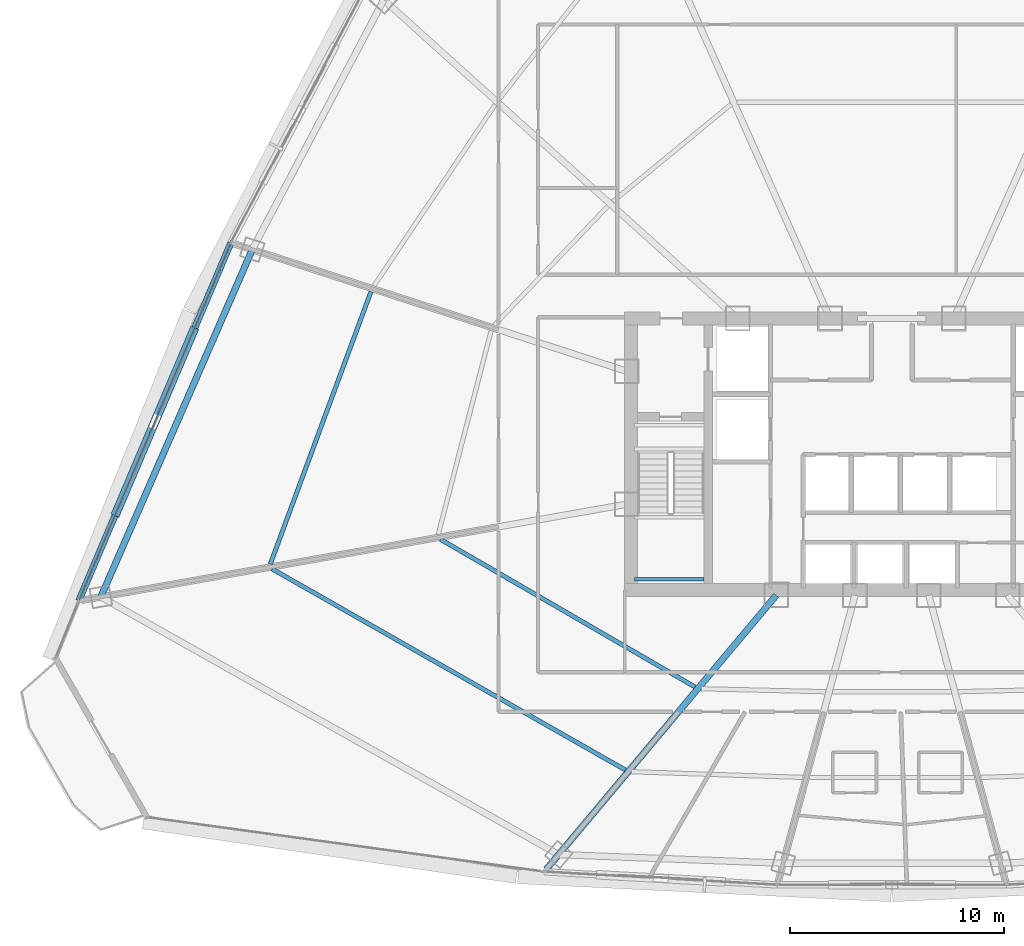
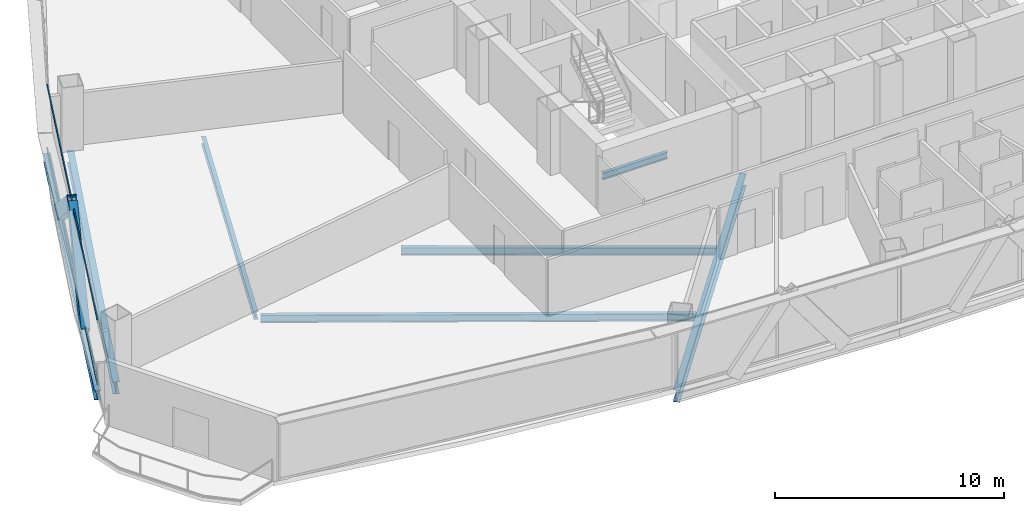
# One storey, part 7 of 39: 7 beams, 4 members, 1 element without a shape of its own.
"""IFC4 building model written with IfcOpenShell, lengths in metres."""

from ifc_helpers import new_model, si_unit, direction, frame, origin, origin_2d, place, context, subcontext, project, spatial, hollow_rectangle, i_section, extrude, source, transform, mapped, material, layer, layer_set, material_profile, profile_set, type_object, element, aggregate, save


model = new_model("IFC4")

# Units and contexts
model_context = context("Model", 3, precision=1e-05, world=origin(), true_north=direction((0.0, 1.0)))
body_context = subcontext(model_context, "Body", "Model", "MODEL_VIEW")
ifc_project = project(units=[si_unit("LENGTHUNIT", "METRE"), si_unit("AREAUNIT", "SQUARE_METRE"), si_unit("VOLUMEUNIT", "CUBIC_METRE"), si_unit("PLANEANGLEUNIT", "RADIAN"), si_unit("MASSUNIT", "GRAM", prefix="KILO"), si_unit("THERMODYNAMICTEMPERATUREUNIT", "KELVIN"), si_unit("POWERUNIT", "WATT")], contexts=[model_context])

# Site, building, storey
site_placement = place(None, origin())
site = spatial("IfcSite", under=ifc_project, at=site_placement, CompositionType="ELEMENT")
building_placement = place(site_placement, origin())
building = spatial("IfcBuilding", under=site, at=building_placement, Name="Yunzhuo Pagoda Commons", CompositionType="ELEMENT")
storey_placement = place(building_placement, frame((0.0, 0.0, 162.949951171875)))
storey = spatial("IfcBuildingStorey", under=building, at=storey_placement, Name="L41", CompositionType="ELEMENT", Elevation=162.949951171875)

# Beams
ifc_material_1 = material(Name="Structural steel Q355B", Category="steel")
ifc_material_profile_1 = material_profile(ifc_material_1, i_section(OverallWidth=0.175048828125, OverallDepth=0.35009765625, WebThickness=0.007080078125, FlangeThickness=0.010986328125, at=origin_2d()), Name="Structural steel Q355B")
ifc_profile_set_1 = profile_set([ifc_material_profile_1], Name="Structural steel Q355B")
beam_type_1 = type_object("IfcBeamType", Name="B-JS2 Joist HN 350x175x7x11", PredefinedType="JOIST", material=ifc_profile_set_1)
shared_shape_1 = source(origin(), body_context, "Body", "SweptSolid", [
    extrude(i_section(OverallWidth=0.175048828125, OverallDepth=0.35009765625, WebThickness=0.007080078125, FlangeThickness=0.010986328125, at=origin_2d()), origin(), (0.0, 0.0, 1.0), 3.25),
])
beam_1_placement = place(storey_placement, frame((35.949951171875, 28.0, 1.465087890625), z_axis=(1.0, 0.0, 0.0), x_axis=(0.0, 1.0, 0.0)))
element("IfcBeam", 1, at=beam_1_placement, inside=storey, type_object=beam_type_1, Name="L41 ST1 landing support beam 47A", PredefinedType="JOIST", context=body_context, shape_type="MappedRepresentation", body=[
    mapped(shared_shape_1, transform((0.0, 0.0, 0.0), scale=1.0)),
])
ifc_material_profile_2 = material_profile(ifc_material_1, i_section(OverallWidth=0.199951171875, OverallDepth=0.39990234375, WebThickness=0.008056640625, FlangeThickness=0.012939453125, at=origin_2d()), Name="Structural steel Q355B")
ifc_profile_set_2 = profile_set([ifc_material_profile_2], Name="Structural steel Q355B")
beam_type_2 = type_object("IfcBeamType", Name="B-JS1 Joist HN 400x200x8x13", PredefinedType="JOIST", material=ifc_profile_set_2)
shared_shape_2 = source(origin(), body_context, "Body", "SweptSolid", [
    extrude(i_section(OverallWidth=0.199951171875, OverallDepth=0.39990234375, WebThickness=0.008056640625, FlangeThickness=0.012939453125, at=origin_2d()), origin(), (0.0, 0.0, 1.0), 13.76416015625),
])
beam_2_placement = place(storey_placement, frame((26.882568359375, 29.87255859375, -0.4599609375), z_axis=(0.864967288101, -0.501828248025, 0.0), x_axis=(0.501828248025, 0.864967288101, 0.0)))
element("IfcBeam", 2, at=beam_2_placement, inside=storey, type_object=beam_type_2, Name="L41 composite ring joist 1.12", PredefinedType="JOIST", context=body_context, shape_type="MappedRepresentation", body=[
    mapped(shared_shape_2, transform((0.0, 0.0, 0.0), scale=1.0)),
])
shared_shape_3 = source(origin(), body_context, "Body", "SweptSolid", [
    extrude(i_section(OverallWidth=0.199951171875, OverallDepth=0.39990234375, WebThickness=0.008056640625, FlangeThickness=0.012939453125, at=origin_2d()), origin(), (0.0, 0.0, 1.0), 19.007568359375),
])
beam_3_placement = place(storey_placement, frame((19.01220703125, 28.485595703125, -0.4599609375), z_axis=(0.869119947472, -0.494601371718, 0.0), x_axis=(0.494601371718, 0.869119947472, 0.0)))
element("IfcBeam", 3, at=beam_3_placement, inside=storey, type_object=beam_type_2, Name="L41 composite ring joist 2.12", PredefinedType="JOIST", context=body_context, shape_type="MappedRepresentation", body=[
    mapped(shared_shape_3, transform((0.0, 0.0, 0.0), scale=1.0)),
])
ifc_material_profile_3 = material_profile(ifc_material_1, i_section(OverallWidth=0.300048828125, OverallDepth=0.64990234375, WebThickness=0.012939453125, FlangeThickness=0.02197265625, at=origin_2d()), Name="Structural steel Q355B")
ifc_profile_set_3 = profile_set([ifc_material_profile_3], Name="Structural steel Q355B")
beam_type_3 = type_object("IfcBeamType", Name="B-RG2 Beam HN 650x300x13x22", PredefinedType="BEAM", material=ifc_profile_set_3)
shared_shape_4 = source(origin(), body_context, "Body", "SweptSolid", [
    extrude(i_section(OverallWidth=0.300048828125, OverallDepth=0.64990234375, WebThickness=0.012939453125, FlangeThickness=0.02197265625, at=origin_2d()), origin(), (0.0, 0.0, 1.0), 17.72021484375),
])
beam_4_placement = place(storey_placement, frame((18.084716796875, 43.420166015625, -0.5849609375), z_axis=(-0.399643307961, -0.916670729544, 0.0), x_axis=(0.916670729544, -0.399643307961, 0.0)))
element("IfcBeam", 4, at=beam_4_placement, inside=storey, type_object=beam_type_3, Name="L41 column-ring beam 11", PredefinedType="BEAM", context=body_context, shape_type="MappedRepresentation", body=[
    mapped(shared_shape_4, transform((0.0, 0.0, 0.0), scale=1.0)),
])
shared_shape_5 = source(origin(), body_context, "Body", "SweptSolid", [
    extrude(i_section(OverallWidth=0.199951171875, OverallDepth=0.39990234375, WebThickness=0.008056640625, FlangeThickness=0.012939453125, at=origin_2d()), origin(), (0.0, 0.0, 1.0), 13.577880859375),
])
beam_5_placement = place(storey_placement, frame((23.634765625, 41.44970703125, -0.4599609375), z_axis=(-0.3465634723, -0.938026523968, 0.0), x_axis=(0.938026523968, -0.3465634723, 0.0)))
element("IfcBeam", 5, at=beam_5_placement, inside=storey, type_object=beam_type_2, Name="L41 composite ring joist 2.11", PredefinedType="JOIST", context=body_context, shape_type="MappedRepresentation", body=[
    mapped(shared_shape_5, transform((0.0, 0.0, 0.0), scale=1.0)),
])
shared_shape_6 = source(origin(), body_context, "Body", "SweptSolid", [
    extrude(i_section(OverallWidth=0.300048828125, OverallDepth=0.64990234375, WebThickness=0.012939453125, FlangeThickness=0.02197265625, at=origin_2d()), origin(), (0.0, 0.0, 1.0), 16.721435546875),
])
beam_6_placement = place(storey_placement, frame((31.839599609375, 14.440673828125, -0.5849609375), z_axis=(0.642787263979, 0.766044733202, 0.0), x_axis=(-0.766044733202, 0.642787263979, 0.0)))
element("IfcBeam", 6, at=beam_6_placement, inside=storey, type_object=beam_type_3, Name="L41 radial floor girder F1C1", PredefinedType="BEAM", context=body_context, shape_type="MappedRepresentation", body=[
    mapped(shared_shape_6, transform((0.0, 0.0, 0.0), scale=1.0)),
])
ifc_material_profile_4 = material_profile(ifc_material_1, i_section(OverallWidth=0.300048828125, OverallDepth=0.488037109375, WebThickness=0.010986328125, FlangeThickness=0.01806640625, at=origin_2d()), Name="Structural steel Q355B")
ifc_profile_set_4 = profile_set([ifc_material_profile_4], Name="Structural steel Q355B")
beam_type_4 = type_object("IfcBeamType", Name="B-SP1 Beam HM 488x300x11x18", PredefinedType="BEAM", material=ifc_profile_set_4)
shared_shape_7 = source(origin(), body_context, "Body", "SweptSolid", [
    extrude(i_section(OverallWidth=0.300048828125, OverallDepth=0.488037109375, WebThickness=0.010986328125, FlangeThickness=0.01806640625, at=origin_2d()), origin(), (0.0, 0.0, 1.0), 18.199951171875),
])
beam_7_placement = place(storey_placement, frame((17.086181640625, 43.74462890625, -0.50390625), z_axis=(-0.391069626014, -0.920361096314, 0.0), x_axis=(0.920361096314, -0.391069626014, 0.0)))
element("IfcBeam", 7, at=beam_7_placement, inside=storey, type_object=beam_type_4, Name="L41 facade edge spandrel beam F3.3", PredefinedType="BEAM", context=body_context, shape_type="MappedRepresentation", body=[
    mapped(shared_shape_7, transform((0.0, 0.0, 0.0), scale=1.0)),
])

# Members
ifc_material_profile_5 = material_profile(ifc_material_1, hollow_rectangle(XDim=0.39990234375, YDim=0.719970703125, WallThickness=0.02392578125, at=origin_2d()), Name="Structural steel Q355B")
ifc_profile_set_5 = profile_set([ifc_material_profile_5], Name="Structural steel Q355B")
member_type_1 = type_object("IfcMemberType", Name="M-DL2 Brace BOX 720x400x24", PredefinedType="BRACE", material=ifc_profile_set_5)
shared_shape_8 = source(origin(), body_context, "Body", "SweptSolid", [
    extrude(hollow_rectangle(XDim=0.39990234375, YDim=0.719970703125, WallThickness=0.02392578125, at=origin_2d()), origin(), (0.0, 0.0, 1.0), 5.85205078125),
])
for number, where, z_axis, x_axis, name in (
    (8, (15.306884765625, 39.556884765625, -0.260009765625), (-0.304092360176, -0.715570333618, 0.628877519179), (0.920342507507, -0.391113370873, 0.0), "L41 facade diamond brace F3.3L"),
    (9, (11.748046875, 31.181640625, -0.260009765625), (0.304045420915, 0.715599767419, 0.628866722677), (-0.920370027148, 0.391048607116, 0.0), "L41 facade diamond brace F3.3R"),
):
    element("IfcMember", number, at=place(storey_placement, frame(where, z_axis=z_axis, x_axis=x_axis)), inside=storey, type_object=member_type_1, Name=name, PredefinedType="BRACE", context=body_context, shape_type="MappedRepresentation", body=[
        mapped(shared_shape_8, transform((0.0, 0.0, 0.0), scale=1.0)),
    ])

# Curtain wall, members
ifc_material_2 = material(Name="Anodized aluminium 6063-T6", Category="aluminium")
ifc_layer = layer(ifc_material_2, 0.14990234375)
ifc_layer_set = layer_set([ifc_layer], Name="Anodized aluminium 6063-T6")
curtain_wall_type = type_object("IfcCurtainWallType", Name="CW-MID Mid-Zone Ribbon Curtain Wall", PredefinedType="NOTDEFINED", material=ifc_layer_set)
curtain_wall_placement = place(storey_placement, origin())
curtain_wall = element("IfcCurtainWall", 10, at=curtain_wall_placement, inside=storey, type_object=curtain_wall_type, Name="L41 curtain wall CW-L41-F3B4", PredefinedType="NOTDEFINED")
ifc_material_profile_6 = material_profile(ifc_material_2, hollow_rectangle(XDim=0.054931640625, YDim=0.1298828125, WallThickness=0.00341796875, at=origin_2d()), Name="Anodized aluminium 6063-T6")
ifc_profile_set_6 = profile_set([ifc_material_profile_6], Name="Anodized aluminium 6063-T6")
member_type_2 = type_object("IfcMemberType", Name="CW-MID-T Transom RHS 130x55x3.5", PredefinedType="USERDEFINED", material=ifc_profile_set_6)
shared_shape_9 = source(origin(), body_context, "Body", "SweptSolid", [
    extrude(hollow_rectangle(XDim=0.054931640625, YDim=0.1298828125, WallThickness=0.00341796875, at=origin_2d()), origin(), (0.0, 0.0, 1.0), 18.079833984375),
])
member_1_placement = place(storey_placement, frame((17.062744140625, 43.689453125, 0.027587890625), z_axis=(-0.391058860583, -0.920365670568, 0.0), x_axis=(0.920365670568, -0.391058860583, 0.0)))
member_1 = element("IfcMember", 11, at=member_1_placement, type_object=member_type_2, Name="CW transom 1.1", ObjectType="TRANSOM", PredefinedType="USERDEFINED", context=body_context, shape_type="MappedRepresentation", body=[
    mapped(shared_shape_9, transform((0.0, 0.0, 0.0), scale=1.0)),
])
member_2_placement = place(storey_placement, frame((17.062744140625, 43.689453125, 3.392578125), z_axis=(-0.391058860583, -0.920365670568, 0.0), x_axis=(0.920365670568, -0.391058860583, 0.0)))
member_2 = element("IfcMember", 12, at=member_2_placement, type_object=member_type_2, Name="CW transom 1.2", ObjectType="TRANSOM", PredefinedType="USERDEFINED", context=body_context, shape_type="MappedRepresentation", body=[
    mapped(shared_shape_9, transform((0.0, 0.0, 0.0), scale=1.0)),
])
aggregate(curtain_wall, [member_1, member_2])

save(model, "model.ifc")
